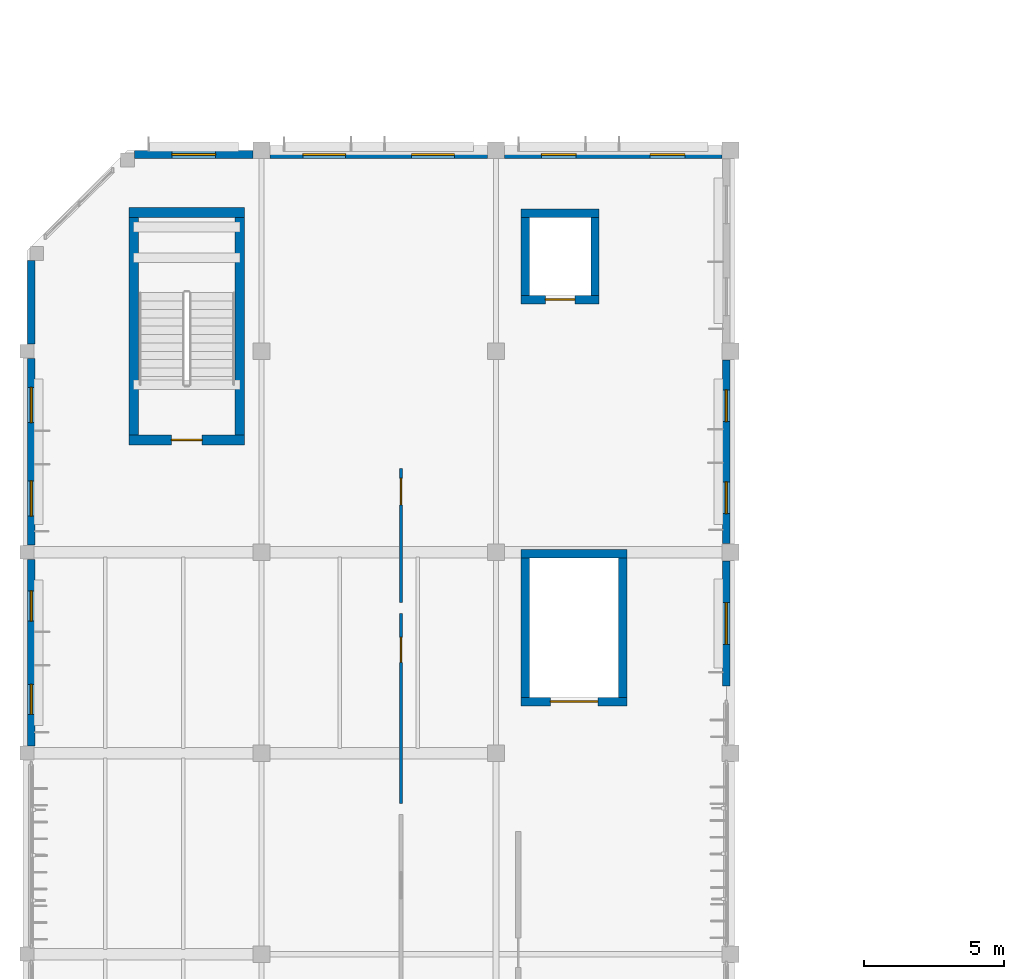
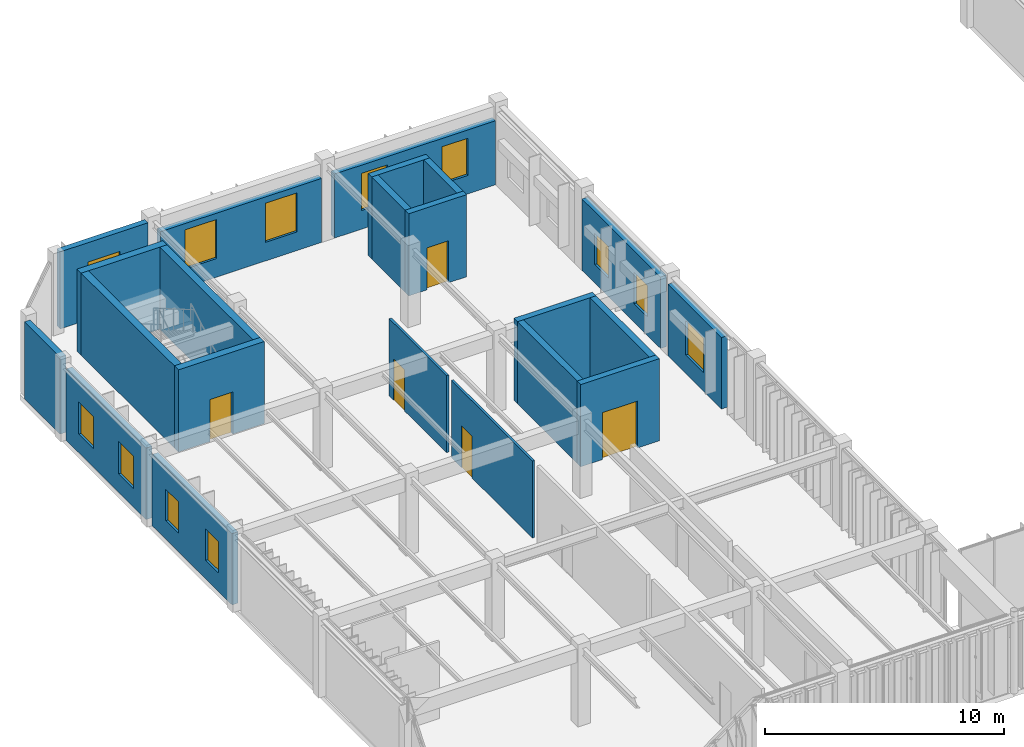
# One storey, part 43 of 122: 22 walls, 12 windows, 5 doors, 17 openings.
"""IFC4 building model written with IfcOpenShell, lengths in metres."""

from ifc_helpers import new_model, si_unit, direction, frame, frame_2d, origin, place, context, subcontext, project, spatial, rectangle, extrude, material, layer, layer_set, type_object, element, fill, save


model = new_model("IFC4")

# Units and contexts
model_context = context("Model", 3, precision=1e-05, world=origin(), true_north=direction((0.0, 1.0)))
body_context = subcontext(model_context, "Body", "Model", "MODEL_VIEW")
ifc_project = project(units=[si_unit("LENGTHUNIT", "METRE"), si_unit("AREAUNIT", "SQUARE_METRE"), si_unit("VOLUMEUNIT", "CUBIC_METRE"), si_unit("PLANEANGLEUNIT", "RADIAN"), si_unit("MASSUNIT", "GRAM", prefix="KILO")], contexts=[model_context])

# Site, building, storey
site_placement = place(None, origin())
site = spatial("IfcSite", under=ifc_project, at=site_placement, CompositionType="ELEMENT")
building_placement = place(site_placement, origin())
building = spatial("IfcBuilding", under=site, at=building_placement, Name="Tazoul Stagehouse", CompositionType="ELEMENT")
storey_placement = place(building_placement, frame((0.0, 0.0, 4.800048828125)))
storey = spatial("IfcBuildingStorey", under=building, at=storey_placement, Name="L01", CompositionType="ELEMENT", Elevation=4.800048828125)

# Wall, opening, door
ifc_material_1 = material(Name="Concrete C40/50", Category="concrete")
ifc_layer_1 = layer(ifc_material_1, 0.35009765625, Name="Concrete C40/50")
ifc_layer_set_1 = layer_set([ifc_layer_1], Name="Concrete C40/50")
wall_type_1 = type_object("IfcWallType", Name="Core Shear Wall 350", PredefinedType="SOLIDWALL", material=ifc_layer_set_1)
wall_1_placement = place(storey_placement, frame((10.199951171875, 77.425048828125, 0.0), z_axis=(0.0, 0.0, 1.0), x_axis=(-1.0, 0.0, 0.0)))
wall_1 = element("IfcWall", 1, at=wall_1_placement, inside=storey, type_object=wall_type_1, Name="L01 Core Wall CW-350 (SHF-ST-06-south)", PredefinedType="SOLIDWALL", context=body_context, shape_type="SweptSolid", body=[
    extrude(rectangle(XDim=4.14990234375, YDim=0.35009765625, at=frame_2d((2.074951171875, 0.0))), origin(), (0.0, 0.0, 1.0), 4.199951171875),
])
opening_1_placement = place(wall_1_placement, frame((1.52490234375, 0.0, 0.0)))
opening_1 = element("IfcOpeningElement", 2, at=opening_1_placement, cuts=wall_1, Name="Opening FD-01", PredefinedType="OPENING", context=body_context, shape_type="SweptSolid", body=[
    extrude(rectangle(XDim=1.10009765625, YDim=2.14990234375, at=frame_2d((0.550048828125, 1.074951171875))), frame((0.0, 0.195068359375, 0.0), z_axis=(0.0, -1.0, 0.0), x_axis=(1.0, 0.0, 0.0)), (0.0, 0.0, 1.0), 0.39013671875),
])
ifc_material_2 = material(Name="Powder-Coated Galvanised Acoustic Steel", Category="steel")
door_type_1 = type_object("IfcDoorType", Name="Core Escape Stair Fire Door 1100x2150", OperationType="NOTDEFINED", PredefinedType="DOOR", material=ifc_material_2)
door_1_placement = place(opening_1_placement, origin())
door_1 = element("IfcDoor", 3, at=door_1_placement, inside=storey, type_object=door_type_1, Name="L01 Escape Stair Fire Door FD-01 (ST-06)", OperationType="SINGLE_SWING_LEFT", OverallHeight=2.14990234375, OverallWidth=1.10009765625, PredefinedType="DOOR", context=body_context, shape_type="SweptSolid", body=[
    extrude(rectangle(XDim=1.10009765625, YDim=2.14990234375, at=frame_2d((0.550048828125, 1.074951171875))), frame((0.0, 0.02490234375, 0.0), z_axis=(0.0, -1.0, 0.0), x_axis=(1.0, 0.0, 0.0)), (0.0, 0.0, 1.0), 0.050048828125),
])
fill(opening_1, door_1)

# Walls
wall_2_placement = place(storey_placement, frame((6.22509765625, 77.60009765625, 0.0), z_axis=(0.0, 0.0, 1.0), x_axis=(0.0, 1.0, 0.0)))
element("IfcWall", 4, at=wall_2_placement, inside=storey, type_object=wall_type_1, Name="L01 Core Wall CW-350 (SHF-ST-06-west)", PredefinedType="SOLIDWALL", context=body_context, shape_type="SweptSolid", body=[
    extrude(rectangle(XDim=7.7998046875, YDim=0.35009765625, at=frame_2d((3.89990234375, 0.0))), origin(), (0.0, 0.0, 1.0), 4.199951171875),
])
wall_3_placement = place(storey_placement, frame((6.050048828125, 85.574951171875, 0.0), z_axis=(0.0, 0.0, 1.0), x_axis=(1.0, 0.0, 0.0)))
element("IfcWall", 5, at=wall_3_placement, inside=storey, type_object=wall_type_1, Name="L01 Core Wall CW-350 (SHF-ST-06-north)", PredefinedType="SOLIDWALL", context=body_context, shape_type="SweptSolid", body=[
    extrude(rectangle(XDim=4.14990234375, YDim=0.35009765625, at=frame_2d((2.074951171875, 0.0))), origin(), (0.0, 0.0, 1.0), 4.199951171875),
])
wall_4_placement = place(storey_placement, frame((10.02490234375, 85.39990234375, 0.0), z_axis=(0.0, 0.0, 1.0), x_axis=(0.0, -1.0, 0.0)))
element("IfcWall", 6, at=wall_4_placement, inside=storey, type_object=wall_type_1, Name="L01 Core Wall CW-350 (SHF-ST-06-east)", PredefinedType="SOLIDWALL", context=body_context, shape_type="SweptSolid", body=[
    extrude(rectangle(XDim=7.7998046875, YDim=0.35009765625, at=frame_2d((3.89990234375, 0.0))), origin(), (0.0, 0.0, 1.0), 4.199951171875),
])

# Wall, openings, windows
ifc_material_3 = material(Name="Precast concrete C40/50", Category="concrete")
ifc_layer_2 = layer(ifc_material_3, 0.280029296875, Name="Precast concrete C40/50")
ifc_layer_set_2 = layer_set([ifc_layer_2], Name="Precast concrete C40/50")
wall_type_2 = type_object("IfcWallType", Name="Insulated Precast Acoustic Cladding Wall 280", PredefinedType="SOLIDWALL", material=ifc_layer_set_2)
wall_5_placement = place(storey_placement, frame((2.550048828125, 66.455078125, 0.0), z_axis=(0.0, 0.0, 1.0), x_axis=(0.0, 1.0, 0.0)))
wall_5 = element("IfcWall", 7, at=wall_5_placement, inside=storey, type_object=wall_type_2, Name="L01 Wall EW-280 (WALL-V6-W2-L01-S1)", PredefinedType="SOLIDWALL", context=body_context, shape_type="SweptSolid", body=[
    extrude(rectangle(XDim=6.68994140625, YDim=0.280029296875, at=frame_2d((3.344970703125, 0.0))), origin(), (0.0, 0.0, 1.0), 3.65283203125),
])
opening_2_placement = place(wall_5_placement, frame((1.132568359375, 0.0, 0.949951171875)))
opening_2 = element("IfcOpeningElement", 8, at=opening_2_placement, cuts=wall_5, Name="Opening WN-39", PredefinedType="OPENING", context=body_context, shape_type="SweptSolid", body=[
    extrude(rectangle(XDim=1.080078125, YDim=1.60009765625, at=frame_2d((0.5400390625, 0.800048828125))), frame((0.0, 0.159912109375, 0.0), z_axis=(0.0, -1.0, 0.0), x_axis=(1.0, 0.0, 0.0)), (0.0, 0.0, 1.0), 0.320068359375),
])
opening_3_placement = place(wall_5_placement, frame((4.4775390625, 0.0, 0.949951171875)))
opening_3 = element("IfcOpeningElement", 9, at=opening_3_placement, cuts=wall_5, Name="Opening WN-39", PredefinedType="OPENING", context=body_context, shape_type="SweptSolid", body=[
    extrude(rectangle(XDim=1.080078125, YDim=1.60009765625, at=frame_2d((0.5400390625, 0.800048828125))), frame((0.0, 0.159912109375, 0.0), z_axis=(0.0, -1.0, 0.0), x_axis=(1.0, 0.0, 0.0)), (0.0, 0.0, 1.0), 0.320068359375),
])
ifc_material_4 = material(Name="Double Low-E Acoustic Laminated Glass", Category="glass")
window_type_1 = type_object("IfcWindowType", Name="Architectural Acoustic Facade Window 1080x1600", PartitioningType="SINGLE_PANEL", PredefinedType="WINDOW", material=ifc_material_4)
window_1_placement = place(opening_2_placement, origin())
window_1 = element("IfcWindow", 10, at=window_1_placement, inside=storey, type_object=window_type_1, Name="L01 Window WN-39 (WALL-V6-W2-L01-S1-W1)", OverallHeight=1.60009765625, OverallWidth=1.080078125, PartitioningType="SINGLE_PANEL", PredefinedType="WINDOW", context=body_context, shape_type="SweptSolid", body=[
    extrude(rectangle(XDim=1.080078125, YDim=1.60009765625, at=frame_2d((0.5400390625, 0.800048828125))), frame((0.0, 0.030029296875, 0.0), z_axis=(0.0, -1.0, 0.0), x_axis=(1.0, 0.0, 0.0)), (0.0, 0.0, 1.0), 0.06005859375),
])
fill(opening_2, window_1)
window_2_placement = place(opening_3_placement, origin())
window_2 = element("IfcWindow", 11, at=window_2_placement, inside=storey, type_object=window_type_1, Name="L01 Window WN-39 (WALL-V6-W2-L01-S1-W2)", OverallHeight=1.60009765625, OverallWidth=1.080078125, PartitioningType="SINGLE_PANEL", PredefinedType="WINDOW", context=body_context, shape_type="SweptSolid", body=[
    extrude(rectangle(XDim=1.080078125, YDim=1.60009765625, at=frame_2d((0.5400390625, 0.800048828125))), frame((0.0, 0.030029296875, 0.0), z_axis=(0.0, -1.0, 0.0), x_axis=(1.0, 0.0, 0.0)), (0.0, 0.0, 1.0), 0.06005859375),
])
fill(opening_3, window_2)

wall_6_placement = place(storey_placement, frame((2.550048828125, 73.655029296875, 0.0), z_axis=(0.0, 0.0, 1.0), x_axis=(0.0, 1.0, 0.0)))
wall_6 = element("IfcWall", 12, at=wall_6_placement, inside=storey, type_object=wall_type_2, Name="L01 Wall EW-280 (WALL-V6-W2-L01-S2)", PredefinedType="SOLIDWALL", context=body_context, shape_type="SweptSolid", body=[
    extrude(rectangle(XDim=6.68994140625, YDim=0.280029296875, at=frame_2d((3.344970703125, 0.0))), origin(), (0.0, 0.0, 1.0), 3.65283203125),
])
opening_4_placement = place(wall_6_placement, frame((1.04248046875, 0.0, 0.949951171875)))
opening_4 = element("IfcOpeningElement", 13, at=opening_4_placement, cuts=wall_6, Name="Opening WN-45", PredefinedType="OPENING", context=body_context, shape_type="SweptSolid", body=[
    extrude(rectangle(XDim=1.260009765625, YDim=1.64990234375, at=frame_2d((0.6298828125, 0.824951171875))), frame((0.0, 0.159912109375, 0.0), z_axis=(0.0, -1.0, 0.0), x_axis=(1.0, 0.0, 0.0)), (0.0, 0.0, 1.0), 0.320068359375),
])
opening_5_placement = place(wall_6_placement, frame((4.387451171875, 0.0, 0.949951171875)))
opening_5 = element("IfcOpeningElement", 14, at=opening_5_placement, cuts=wall_6, Name="Opening WN-45", PredefinedType="OPENING", context=body_context, shape_type="SweptSolid", body=[
    extrude(rectangle(XDim=1.260009765625, YDim=1.64990234375, at=frame_2d((0.6298828125, 0.824951171875))), frame((0.0, 0.159912109375, 0.0), z_axis=(0.0, -1.0, 0.0), x_axis=(1.0, 0.0, 0.0)), (0.0, 0.0, 1.0), 0.320068359375),
])
window_type_2 = type_object("IfcWindowType", Name="Architectural Acoustic Facade Window 1260x1650", PartitioningType="SINGLE_PANEL", PredefinedType="WINDOW", material=ifc_material_4)
window_3_placement = place(opening_4_placement, origin())
window_3 = element("IfcWindow", 15, at=window_3_placement, inside=storey, type_object=window_type_2, Name="L01 Window WN-45 (WALL-V6-W2-L01-S2-W1)", OverallHeight=1.64990234375, OverallWidth=1.260009765625, PartitioningType="SINGLE_PANEL", PredefinedType="WINDOW", context=body_context, shape_type="SweptSolid", body=[
    extrude(rectangle(XDim=1.260009765625, YDim=1.64990234375, at=frame_2d((0.6298828125, 0.824951171875))), frame((0.0, 0.030029296875, 0.0), z_axis=(0.0, -1.0, 0.0), x_axis=(1.0, 0.0, 0.0)), (0.0, 0.0, 1.0), 0.06005859375),
])
fill(opening_4, window_3)
window_4_placement = place(opening_5_placement, origin())
window_4 = element("IfcWindow", 16, at=window_4_placement, inside=storey, type_object=window_type_2, Name="L01 Window WN-45 (WALL-V6-W2-L01-S2-W2)", OverallHeight=1.64990234375, OverallWidth=1.260009765625, PartitioningType="SINGLE_PANEL", PredefinedType="WINDOW", context=body_context, shape_type="SweptSolid", body=[
    extrude(rectangle(XDim=1.260009765625, YDim=1.64990234375, at=frame_2d((0.6298828125, 0.824951171875))), frame((0.0, 0.030029296875, 0.0), z_axis=(0.0, -1.0, 0.0), x_axis=(1.0, 0.0, 0.0)), (0.0, 0.0, 1.0), 0.06005859375),
])
fill(opening_5, window_4)

# Wall
wall_7_placement = place(storey_placement, frame((2.550048828125, 80.85498046875, 0.0), z_axis=(0.0, 0.0, 1.0), x_axis=(0.0, 1.0, 0.0)))
element("IfcWall", 17, at=wall_7_placement, inside=storey, type_object=wall_type_2, Name="L01 Wall EW-280 (WALL-V6-W2-L01-S3)", PredefinedType="SOLIDWALL", context=body_context, shape_type="SweptSolid", body=[
    extrude(rectangle(XDim=2.989990234375, YDim=0.280029296875, at=frame_2d((1.4951171875, 0.0))), origin(), (0.0, 0.0, 1.0), 3.93994140625),
])

# Wall, opening, window
wall_8_placement = place(storey_placement, frame((6.2548828125, 87.64990234375, 0.0), z_axis=(0.0, 0.0, 1.0), x_axis=(1.0, 0.0, 0.0)))
wall_8 = element("IfcWall", 18, at=wall_8_placement, inside=storey, type_object=wall_type_2, Name="L01 Wall EW-280 (WALL-V6-N-L01-S1)", PredefinedType="SOLIDWALL", context=body_context, shape_type="SweptSolid", body=[
    extrude(rectangle(XDim=4.240234375, YDim=0.280029296875, at=frame_2d((2.1201171875, 0.0))), origin(), (0.0, 0.0, 1.0), 3.93994140625),
])
opening_6_placement = place(wall_8_placement, frame((1.340087890625, 0.0, 0.949951171875)))
opening_6 = element("IfcOpeningElement", 19, at=opening_6_placement, cuts=wall_8, Name="Opening WN-80", PredefinedType="OPENING", context=body_context, shape_type="SweptSolid", body=[
    extrude(rectangle(XDim=1.56005859375, YDim=2.0, at=frame_2d((0.780029296875, 1.0))), frame((0.0, 0.159912109375, 0.0), z_axis=(0.0, -1.0, 0.0), x_axis=(1.0, 0.0, 0.0)), (0.0, 0.0, 1.0), 0.320068359375),
])
window_type_3 = type_object("IfcWindowType", Name="Architectural Acoustic Facade Window 1560x2000", PartitioningType="SINGLE_PANEL", PredefinedType="WINDOW", material=ifc_material_4)
window_5_placement = place(opening_6_placement, origin())
window_5 = element("IfcWindow", 20, at=window_5_placement, inside=storey, type_object=window_type_3, Name="L01 Window WN-80 (WALL-V6-N-L01-S1-W1)", OverallHeight=2.0, OverallWidth=1.56005859375, PartitioningType="SINGLE_PANEL", PredefinedType="WINDOW", context=body_context, shape_type="SweptSolid", body=[
    extrude(rectangle(XDim=1.56005859375, YDim=2.0, at=frame_2d((0.780029296875, 1.0))), frame((0.0, 0.030029296875, 0.0), z_axis=(0.0, -1.0, 0.0), x_axis=(1.0, 0.0, 0.0)), (0.0, 0.0, 1.0), 0.06005859375),
])
fill(opening_6, window_5)

# Wall, openings, windows
wall_9_placement = place(storey_placement, frame((11.10498046875, 87.64990234375, 0.0), z_axis=(0.0, 0.0, 1.0), x_axis=(1.0, 0.0, 0.0)))
wall_9 = element("IfcWall", 21, at=wall_9_placement, inside=storey, type_object=wall_type_2, Name="L01 Wall EW-280 (WALL-V6-N-L01-S2)", PredefinedType="SOLIDWALL", context=body_context, shape_type="SweptSolid", body=[
    extrude(rectangle(XDim=7.7900390625, YDim=0.280029296875, at=frame_2d((3.89501953125, 0.0))), origin(), (0.0, 0.0, 1.0), 3.27294921875),
])
opening_7_placement = place(wall_9_placement, frame((1.1826171875, 0.0, 0.949951171875)))
opening_7 = element("IfcOpeningElement", 22, at=opening_7_placement, cuts=wall_9, Name="Opening WN-79", PredefinedType="OPENING", context=body_context, shape_type="SweptSolid", body=[
    extrude(rectangle(XDim=1.530029296875, YDim=2.0, at=frame_2d((0.76513671875, 1.0))), frame((0.0, 0.159912109375, 0.0), z_axis=(0.0, -1.0, 0.0), x_axis=(1.0, 0.0, 0.0)), (0.0, 0.0, 1.0), 0.320068359375),
])
opening_8_placement = place(wall_9_placement, frame((5.077392578125, 0.0, 0.949951171875)))
opening_8 = element("IfcOpeningElement", 23, at=opening_8_placement, cuts=wall_9, Name="Opening WN-79", PredefinedType="OPENING", context=body_context, shape_type="SweptSolid", body=[
    extrude(rectangle(XDim=1.530029296875, YDim=2.0, at=frame_2d((0.76513671875, 1.0))), frame((0.0, 0.159912109375, 0.0), z_axis=(0.0, -1.0, 0.0), x_axis=(1.0, 0.0, 0.0)), (0.0, 0.0, 1.0), 0.320068359375),
])
window_type_4 = type_object("IfcWindowType", Name="Architectural Acoustic Facade Window 1530x2000", PartitioningType="SINGLE_PANEL", PredefinedType="WINDOW", material=ifc_material_4)
window_6_placement = place(opening_7_placement, origin())
window_6 = element("IfcWindow", 24, at=window_6_placement, inside=storey, type_object=window_type_4, Name="L01 Window WN-79 (WALL-V6-N-L01-S2-W1)", OverallHeight=2.0, OverallWidth=1.530029296875, PartitioningType="SINGLE_PANEL", PredefinedType="WINDOW", context=body_context, shape_type="SweptSolid", body=[
    extrude(rectangle(XDim=1.530029296875, YDim=2.0, at=frame_2d((0.76513671875, 1.0))), frame((0.0, 0.030029296875, 0.0), z_axis=(0.0, -1.0, 0.0), x_axis=(1.0, 0.0, 0.0)), (0.0, 0.0, 1.0), 0.06005859375),
])
fill(opening_7, window_6)
window_7_placement = place(opening_8_placement, origin())
window_7 = element("IfcWindow", 25, at=window_7_placement, inside=storey, type_object=window_type_4, Name="L01 Window WN-79 (WALL-V6-N-L01-S2-W2)", OverallHeight=2.0, OverallWidth=1.530029296875, PartitioningType="SINGLE_PANEL", PredefinedType="WINDOW", context=body_context, shape_type="SweptSolid", body=[
    extrude(rectangle(XDim=1.530029296875, YDim=2.0, at=frame_2d((0.76513671875, 1.0))), frame((0.0, 0.030029296875, 0.0), z_axis=(0.0, -1.0, 0.0), x_axis=(1.0, 0.0, 0.0)), (0.0, 0.0, 1.0), 0.06005859375),
])
fill(opening_8, window_7)

wall_10_placement = place(storey_placement, frame((19.5048828125, 87.64990234375, 0.0), z_axis=(0.0, 0.0, 1.0), x_axis=(1.0, 0.0, 0.0)))
wall_10 = element("IfcWall", 26, at=wall_10_placement, inside=storey, type_object=wall_type_2, Name="L01 Wall EW-280 (WALL-V6-N-L01-S3)", PredefinedType="SOLIDWALL", context=body_context, shape_type="SweptSolid", body=[
    extrude(rectangle(XDim=7.7900390625, YDim=0.280029296875, at=frame_2d((3.89501953125, 0.0))), origin(), (0.0, 0.0, 1.0), 3.27294921875),
])
opening_9_placement = place(wall_10_placement, frame((1.322509765625, 0.0, 0.949951171875)))
opening_9 = element("IfcOpeningElement", 27, at=opening_9_placement, cuts=wall_10, Name="Opening WN-28", PredefinedType="OPENING", context=body_context, shape_type="SweptSolid", body=[
    extrude(rectangle(XDim=1.25, YDim=1.89990234375, at=frame_2d((0.625, 0.949951171875))), frame((0.0, 0.159912109375, 0.0), z_axis=(0.0, -1.0, 0.0), x_axis=(1.0, 0.0, 0.0)), (0.0, 0.0, 1.0), 0.320068359375),
])
opening_10_placement = place(wall_10_placement, frame((5.217529296875, 0.0, 0.949951171875)))
opening_10 = element("IfcOpeningElement", 28, at=opening_10_placement, cuts=wall_10, Name="Opening WN-28", PredefinedType="OPENING", context=body_context, shape_type="SweptSolid", body=[
    extrude(rectangle(XDim=1.25, YDim=1.89990234375, at=frame_2d((0.625, 0.949951171875))), frame((0.0, 0.159912109375, 0.0), z_axis=(0.0, -1.0, 0.0), x_axis=(1.0, 0.0, 0.0)), (0.0, 0.0, 1.0), 0.320068359375),
])
window_type_5 = type_object("IfcWindowType", Name="Black-Box Studio Window 1250x1900", PartitioningType="SINGLE_PANEL", PredefinedType="WINDOW", material=ifc_material_4)
window_8_placement = place(opening_9_placement, origin())
window_8 = element("IfcWindow", 29, at=window_8_placement, inside=storey, type_object=window_type_5, Name="L01 Window WN-28 (WALL-V6-N-L01-S3-W1)", OverallHeight=1.89990234375, OverallWidth=1.25, PartitioningType="SINGLE_PANEL", PredefinedType="WINDOW", context=body_context, shape_type="SweptSolid", body=[
    extrude(rectangle(XDim=1.25, YDim=1.89990234375, at=frame_2d((0.625, 0.949951171875))), frame((0.0, 0.030029296875, 0.0), z_axis=(0.0, -1.0, 0.0), x_axis=(1.0, 0.0, 0.0)), (0.0, 0.0, 1.0), 0.06005859375),
])
fill(opening_9, window_8)
window_9_placement = place(opening_10_placement, origin())
window_9 = element("IfcWindow", 30, at=window_9_placement, inside=storey, type_object=window_type_5, Name="L01 Window WN-28 (WALL-V6-N-L01-S3-W2)", OverallHeight=1.89990234375, OverallWidth=1.25, PartitioningType="SINGLE_PANEL", PredefinedType="WINDOW", context=body_context, shape_type="SweptSolid", body=[
    extrude(rectangle(XDim=1.25, YDim=1.89990234375, at=frame_2d((0.625, 0.949951171875))), frame((0.0, 0.030029296875, 0.0), z_axis=(0.0, -1.0, 0.0), x_axis=(1.0, 0.0, 0.0)), (0.0, 0.0, 1.0), 0.06005859375),
])
fill(opening_10, window_9)

# Wall, opening, window
wall_11_placement = place(storey_placement, frame((27.449951171875, 68.60009765625, 0.0), z_axis=(0.0, 0.0, 1.0), x_axis=(0.0, 1.0, 0.0)))
wall_11 = element("IfcWall", 31, at=wall_11_placement, inside=storey, type_object=wall_type_2, Name="L01 Wall EW-280 (WALL-V6-E2-L01-S1)", PredefinedType="SOLIDWALL", context=body_context, shape_type="SweptSolid", body=[
    extrude(rectangle(XDim=4.494873046875, YDim=0.280029296875, at=frame_2d((2.24755859375, 0.0))), origin(), (0.0, 0.0, 1.0), 3.65283203125),
])
opening_11_placement = place(wall_11_placement, frame((1.49755859375, 0.0, 0.949951171875)))
opening_11 = element("IfcOpeningElement", 32, at=opening_11_placement, cuts=wall_11, Name="Opening WN-53", PredefinedType="OPENING", context=body_context, shape_type="SweptSolid", body=[
    extrude(rectangle(XDim=1.5, YDim=1.75, at=frame_2d((0.75, 0.875))), frame((0.0, 0.159912109375, 0.0), z_axis=(0.0, -1.0, 0.0), x_axis=(1.0, 0.0, 0.0)), (0.0, 0.0, 1.0), 0.320068359375),
])
window_type_6 = type_object("IfcWindowType", Name="Architectural Acoustic Facade Window 1500x1750", PartitioningType="SINGLE_PANEL", PredefinedType="WINDOW", material=ifc_material_4)
window_10_placement = place(opening_11_placement, origin())
window_10 = element("IfcWindow", 33, at=window_10_placement, inside=storey, type_object=window_type_6, Name="L01 Window WN-53 (WALL-V6-E2-L01-S1-W1)", OverallHeight=1.75, OverallWidth=1.5, PartitioningType="SINGLE_PANEL", PredefinedType="WINDOW", context=body_context, shape_type="SweptSolid", body=[
    extrude(rectangle(XDim=1.5, YDim=1.75, at=frame_2d((0.75, 0.875))), frame((0.0, 0.030029296875, 0.0), z_axis=(0.0, -1.0, 0.0), x_axis=(1.0, 0.0, 0.0)), (0.0, 0.0, 1.0), 0.06005859375),
])
fill(opening_11, window_10)

# Wall, openings, windows
wall_12_placement = place(storey_placement, frame((27.449951171875, 73.705078125, 0.0), z_axis=(0.0, 0.0, 1.0), x_axis=(0.0, 1.0, 0.0)))
wall_12 = element("IfcWall", 34, at=wall_12_placement, inside=storey, type_object=wall_type_2, Name="L01 Wall EW-280 (WALL-V6-E2-L01-S2)", PredefinedType="SOLIDWALL", context=body_context, shape_type="SweptSolid", body=[
    extrude(rectangle(XDim=6.58984375, YDim=0.280029296875, at=frame_2d((3.294921875, 0.0))), origin(), (0.0, 0.0, 1.0), 3.65283203125),
])
opening_12_placement = place(wall_12_placement, frame((1.077392578125, 0.0, 0.949951171875)))
opening_12 = element("IfcOpeningElement", 35, at=opening_12_placement, cuts=wall_12, Name="Opening WN-41", PredefinedType="OPENING", context=body_context, shape_type="SweptSolid", body=[
    extrude(rectangle(XDim=1.139892578125, YDim=1.60009765625, at=frame_2d((0.56982421875, 0.800048828125))), frame((0.0, 0.159912109375, 0.0), z_axis=(0.0, -1.0, 0.0), x_axis=(1.0, 0.0, 0.0)), (0.0, 0.0, 1.0), 0.320068359375),
])
opening_13_placement = place(wall_12_placement, frame((4.37255859375, 0.0, 0.949951171875)))
opening_13 = element("IfcOpeningElement", 36, at=opening_13_placement, cuts=wall_12, Name="Opening WN-41", PredefinedType="OPENING", context=body_context, shape_type="SweptSolid", body=[
    extrude(rectangle(XDim=1.139892578125, YDim=1.60009765625, at=frame_2d((0.56982421875, 0.800048828125))), frame((0.0, 0.159912109375, 0.0), z_axis=(0.0, -1.0, 0.0), x_axis=(1.0, 0.0, 0.0)), (0.0, 0.0, 1.0), 0.320068359375),
])
window_type_7 = type_object("IfcWindowType", Name="Architectural Acoustic Facade Window 1140x1600", PartitioningType="SINGLE_PANEL", PredefinedType="WINDOW", material=ifc_material_4)
window_11_placement = place(opening_12_placement, origin())
window_11 = element("IfcWindow", 37, at=window_11_placement, inside=storey, type_object=window_type_7, Name="L01 Window WN-41 (WALL-V6-E2-L01-S2-W1)", OverallHeight=1.60009765625, OverallWidth=1.139892578125, PartitioningType="SINGLE_PANEL", PredefinedType="WINDOW", context=body_context, shape_type="SweptSolid", body=[
    extrude(rectangle(XDim=1.139892578125, YDim=1.60009765625, at=frame_2d((0.56982421875, 0.800048828125))), frame((0.0, 0.030029296875, 0.0), z_axis=(0.0, -1.0, 0.0), x_axis=(1.0, 0.0, 0.0)), (0.0, 0.0, 1.0), 0.06005859375),
])
fill(opening_12, window_11)
window_12_placement = place(opening_13_placement, origin())
window_12 = element("IfcWindow", 38, at=window_12_placement, inside=storey, type_object=window_type_7, Name="L01 Window WN-41 (WALL-V6-E2-L01-S2-W2)", OverallHeight=1.60009765625, OverallWidth=1.139892578125, PartitioningType="SINGLE_PANEL", PredefinedType="WINDOW", context=body_context, shape_type="SweptSolid", body=[
    extrude(rectangle(XDim=1.139892578125, YDim=1.60009765625, at=frame_2d((0.56982421875, 0.800048828125))), frame((0.0, 0.030029296875, 0.0), z_axis=(0.0, -1.0, 0.0), x_axis=(1.0, 0.0, 0.0)), (0.0, 0.0, 1.0), 0.06005859375),
])
fill(opening_13, window_12)

# Wall, opening, door
ifc_layer_3 = layer(ifc_material_1, 0.300048828125, Name="Concrete C40/50")
ifc_layer_set_3 = layer_set([ifc_layer_3], Name="Concrete C40/50")
wall_type_3 = type_object("IfcWallType", Name="Lift Shaft Wall 300", PredefinedType="SOLIDWALL", material=ifc_layer_set_3)
wall_13_placement = place(storey_placement, frame((22.89990234375, 82.449951171875, 0.0), z_axis=(0.0, 0.0, 1.0), x_axis=(-1.0, 0.0, 0.0)))
wall_13 = element("IfcWall", 39, at=wall_13_placement, inside=storey, type_object=wall_type_3, Name="L01 Core Wall CW-300 (LSHF-PL-03-south)", PredefinedType="SOLIDWALL", context=body_context, shape_type="SweptSolid", body=[
    extrude(rectangle(XDim=2.7998046875, YDim=0.300048828125, at=frame_2d((1.39990234375, 0.0))), origin(), (0.0, 0.0, 1.0), 4.199951171875),
])
opening_14_placement = place(wall_13_placement, frame((0.875, 0.0, 0.0)))
opening_14 = element("IfcOpeningElement", 40, at=opening_14_placement, cuts=wall_13, Name="Opening LD-05", PredefinedType="OPENING", context=body_context, shape_type="SweptSolid", body=[
    extrude(rectangle(XDim=1.050048828125, YDim=2.14990234375, at=frame_2d((0.52490234375, 1.074951171875))), frame((0.0, 0.169921875, 0.0), z_axis=(0.0, -1.0, 0.0), x_axis=(1.0, 0.0, 0.0)), (0.0, 0.0, 1.0), 0.340087890625),
])
door_type_2 = type_object("IfcDoorType", Name="West Lift Sliding Landing Door 1050x2150", OperationType="DOUBLE_DOOR_SLIDING", PredefinedType="DOOR", material=ifc_material_2)
door_2_placement = place(opening_14_placement, origin())
door_2 = element("IfcDoor", 41, at=door_2_placement, inside=storey, type_object=door_type_2, Name="L01 Lift Landing Sliding Door LD-05 (PL-03)", OperationType="DOUBLE_DOOR_SLIDING", OverallHeight=2.14990234375, OverallWidth=1.050048828125, PredefinedType="DOOR", context=body_context, shape_type="SweptSolid", body=[
    extrude(rectangle(XDim=1.050048828125, YDim=2.14990234375, at=frame_2d((0.52490234375, 1.074951171875))), frame((0.0, 0.02490234375, 0.0), z_axis=(0.0, -1.0, 0.0), x_axis=(1.0, 0.0, 0.0)), (0.0, 0.0, 1.0), 0.050048828125),
])
fill(opening_14, door_2)

# Walls
for number, where, z_axis, x_axis, name in (
    (42, (20.25, 82.60009765625, 0.0), (0.0, 0.0, 1.0), (0.0, 1.0, 0.0), "L01 Core Wall CW-300 (LSHF-PL-03-west)"),
    (43, (20.10009765625, 85.550048828125, 0.0), (0.0, 0.0, 1.0), (1.0, 0.0, 0.0), "L01 Core Wall CW-300 (LSHF-PL-03-north)"),
    (44, (22.75, 85.39990234375, 0.0), (0.0, 0.0, 1.0), (0.0, -1.0, 0.0), "L01 Core Wall CW-300 (LSHF-PL-03-east)"),
):
    element("IfcWall", number, at=place(storey_placement, frame(where, z_axis=z_axis, x_axis=x_axis)), inside=storey, type_object=wall_type_3, Name=name, PredefinedType="SOLIDWALL", context=body_context, shape_type="SweptSolid", body=[
        extrude(rectangle(XDim=2.7998046875, YDim=0.300048828125, at=frame_2d((1.39990234375, 0.0))), origin(), (0.0, 0.0, 1.0), 4.199951171875),
    ])

# Wall, opening, door
wall_14_placement = place(storey_placement, frame((23.89990234375, 68.050048828125, 0.0), z_axis=(0.0, 0.0, 1.0), x_axis=(-1.0, 0.0, 0.0)))
wall_14 = element("IfcWall", 45, at=wall_14_placement, inside=storey, type_object=wall_type_3, Name="L01 Core Wall CW-300 (LSHF-GL-02-south)", PredefinedType="SOLIDWALL", context=body_context, shape_type="SweptSolid", body=[
    extrude(rectangle(XDim=3.7998046875, YDim=0.300048828125, at=frame_2d((1.89990234375, 0.0))), origin(), (0.0, 0.0, 1.0), 4.199951171875),
])
opening_15_placement = place(wall_14_placement, frame((1.050048828125, 0.0, 0.0)))
opening_15 = element("IfcOpeningElement", 46, at=opening_15_placement, cuts=wall_14, Name="Opening LD-08", PredefinedType="OPENING", context=body_context, shape_type="SweptSolid", body=[
    extrude(rectangle(XDim=1.699951171875, YDim=2.39990234375, at=frame_2d((0.85009765625, 1.199951171875))), frame((0.0, 0.169921875, 0.0), z_axis=(0.0, -1.0, 0.0), x_axis=(1.0, 0.0, 0.0)), (0.0, 0.0, 1.0), 0.340087890625),
])
door_type_3 = type_object("IfcDoorType", Name="Black-Box Goods Lift Sliding Door 1700x2400", OperationType="DOUBLE_DOOR_SLIDING", PredefinedType="DOOR", material=ifc_material_2)
door_3_placement = place(opening_15_placement, origin())
door_3 = element("IfcDoor", 47, at=door_3_placement, inside=storey, type_object=door_type_3, Name="L01 Lift Landing Sliding Door LD-08 (GL-02)", OperationType="DOUBLE_DOOR_SLIDING", OverallHeight=2.39990234375, OverallWidth=1.699951171875, PredefinedType="DOOR", context=body_context, shape_type="SweptSolid", body=[
    extrude(rectangle(XDim=1.699951171875, YDim=2.39990234375, at=frame_2d((0.85009765625, 1.199951171875))), frame((0.0, 0.02490234375, 0.0), z_axis=(0.0, -1.0, 0.0), x_axis=(1.0, 0.0, 0.0)), (0.0, 0.0, 1.0), 0.050048828125),
])
fill(opening_15, door_3)

# Walls
wall_15_placement = place(storey_placement, frame((20.25, 68.199951171875, 0.0), z_axis=(0.0, 0.0, 1.0), x_axis=(0.0, 1.0, 0.0)))
element("IfcWall", 48, at=wall_15_placement, inside=storey, type_object=wall_type_3, Name="L01 Core Wall CW-300 (LSHF-GL-02-west)", PredefinedType="SOLIDWALL", context=body_context, shape_type="SweptSolid", body=[
    extrude(rectangle(XDim=5.0, YDim=0.300048828125, at=frame_2d((2.5, 0.0))), origin(), (0.0, 0.0, 1.0), 4.199951171875),
])
wall_16_placement = place(storey_placement, frame((20.10009765625, 73.35009765625, 0.0), z_axis=(0.0, 0.0, 1.0), x_axis=(1.0, 0.0, 0.0)))
element("IfcWall", 49, at=wall_16_placement, inside=storey, type_object=wall_type_3, Name="L01 Core Wall CW-300 (LSHF-GL-02-north)", PredefinedType="SOLIDWALL", context=body_context, shape_type="SweptSolid", body=[
    extrude(rectangle(XDim=3.7998046875, YDim=0.300048828125, at=frame_2d((1.89990234375, 0.0))), origin(), (0.0, 0.0, 1.0), 4.199951171875),
])
wall_17_placement = place(storey_placement, frame((23.75, 73.199951171875, 0.0), z_axis=(0.0, 0.0, 1.0), x_axis=(0.0, -1.0, 0.0)))
element("IfcWall", 50, at=wall_17_placement, inside=storey, type_object=wall_type_3, Name="L01 Core Wall CW-300 (LSHF-GL-02-east)", PredefinedType="SOLIDWALL", context=body_context, shape_type="SweptSolid", body=[
    extrude(rectangle(XDim=5.0, YDim=0.300048828125, at=frame_2d((2.5, 0.0))), origin(), (0.0, 0.0, 1.0), 4.199951171875),
])

# Wall, opening, door
ifc_material_5 = material(Name="Gypsum Acoustic Partition", Category="gypsum")
ifc_layer_4 = layer(ifc_material_5, 0.110107421875, Name="Gypsum Acoustic Partition")
ifc_layer_set_4 = layer_set([ifc_layer_4], Name="Gypsum Acoustic Partition")
wall_type_4 = type_object("IfcWallType", Name="Wet-Area Tile Backing Partition 110", PredefinedType="PARTITIONING", material=ifc_layer_set_4)
wall_18_placement = place(storey_placement, frame((15.800048828125, 71.199951171875, 0.0), z_axis=(0.0, 0.0, 1.0), x_axis=(0.0, -1.0, 0.0)))
wall_18 = element("IfcWall", 51, at=wall_18_placement, inside=storey, type_object=wall_type_4, Name="L01 Partition PW-110 (PW-RM-L01-055-E)", PredefinedType="PARTITIONING", context=body_context, shape_type="SweptSolid", body=[
    extrude(rectangle(XDim=6.800048828125, YDim=0.110107421875, at=frame_2d((3.39990234375, 0.0))), origin(), (0.0, 0.0, 1.0), 3.93994140625),
])
opening_16_placement = place(wall_18_placement, frame((0.84521484375, 0.0, 0.0)))
opening_16 = element("IfcOpeningElement", 52, at=opening_16_placement, cuts=wall_18, Name="Opening ID-05", PredefinedType="OPENING", context=body_context, shape_type="SweptSolid", body=[
    extrude(rectangle(XDim=0.89990234375, YDim=2.14990234375, at=frame_2d((0.449951171875, 1.074951171875))), frame((0.0, 0.074951171875, 0.0), z_axis=(0.0, -1.0, 0.0), x_axis=(1.0, 0.0, 0.0)), (0.0, 0.0, 1.0), 0.150146484375),
])
ifc_material_6 = material(Name="Acoustic Cedar Timber", Category="wood")
door_type_4 = type_object("IfcDoorType", Name="Office Timber Acoustic Door 900x2150", OperationType="NOTDEFINED", PredefinedType="DOOR", material=ifc_material_6)
door_4_placement = place(opening_16_placement, origin())
door_4 = element("IfcDoor", 53, at=door_4_placement, inside=storey, type_object=door_type_4, Name="L01 L01 Public Toilets WC Door", OperationType="SINGLE_SWING_RIGHT", OverallHeight=2.14990234375, OverallWidth=0.89990234375, PredefinedType="DOOR", context=body_context, shape_type="SweptSolid", body=[
    extrude(rectangle(XDim=0.89990234375, YDim=2.14990234375, at=frame_2d((0.449951171875, 1.074951171875))), frame((0.0, 0.02490234375, 0.0), z_axis=(0.0, -1.0, 0.0), x_axis=(1.0, 0.0, 0.0)), (0.0, 0.0, 1.0), 0.050048828125),
])
fill(opening_16, door_4)

wall_19_placement = place(storey_placement, frame((15.800048828125, 76.39990234375, 0.0), z_axis=(0.0, 0.0, 1.0), x_axis=(0.0, -1.0, 0.0)))
wall_19 = element("IfcWall", 54, at=wall_19_placement, inside=storey, type_object=wall_type_4, Name="L01 Partition PW-110 (PW-RM-L01-056-E)", PredefinedType="PARTITIONING", context=body_context, shape_type="SweptSolid", body=[
    extrude(rectangle(XDim=4.7998046875, YDim=0.110107421875, at=frame_2d((2.39990234375, 0.0))), origin(), (0.0, 0.0, 1.0), 3.93994140625),
])
opening_17_placement = place(wall_19_placement, frame((0.35009765625, 0.0, 0.0)))
opening_17 = element("IfcOpeningElement", 55, at=opening_17_placement, cuts=wall_19, Name="Opening ID-02", PredefinedType="OPENING", context=body_context, shape_type="SweptSolid", body=[
    extrude(rectangle(XDim=0.949951171875, YDim=2.10009765625, at=frame_2d((0.47509765625, 1.050048828125))), frame((0.0, 0.074951171875, 0.0), z_axis=(0.0, -1.0, 0.0), x_axis=(1.0, 0.0, 0.0)), (0.0, 0.0, 1.0), 0.150146484375),
])
door_type_5 = type_object("IfcDoorType", Name="Accessible WC Door 950x2100", OperationType="NOTDEFINED", PredefinedType="DOOR", material=ifc_material_6)
door_5_placement = place(opening_17_placement, origin())
door_5 = element("IfcDoor", 56, at=door_5_placement, inside=storey, type_object=door_type_5, Name="L01 L01 Accessible WC Door", OperationType="SINGLE_SWING_LEFT", OverallHeight=2.10009765625, OverallWidth=0.949951171875, PredefinedType="DOOR", context=body_context, shape_type="SweptSolid", body=[
    extrude(rectangle(XDim=0.949951171875, YDim=2.10009765625, at=frame_2d((0.47509765625, 1.050048828125))), frame((0.0, 0.02490234375, 0.0), z_axis=(0.0, -1.0, 0.0), x_axis=(1.0, 0.0, 0.0)), (0.0, 0.0, 1.0), 0.050048828125),
])
fill(opening_17, door_5)

save(model, "model.ifc")
